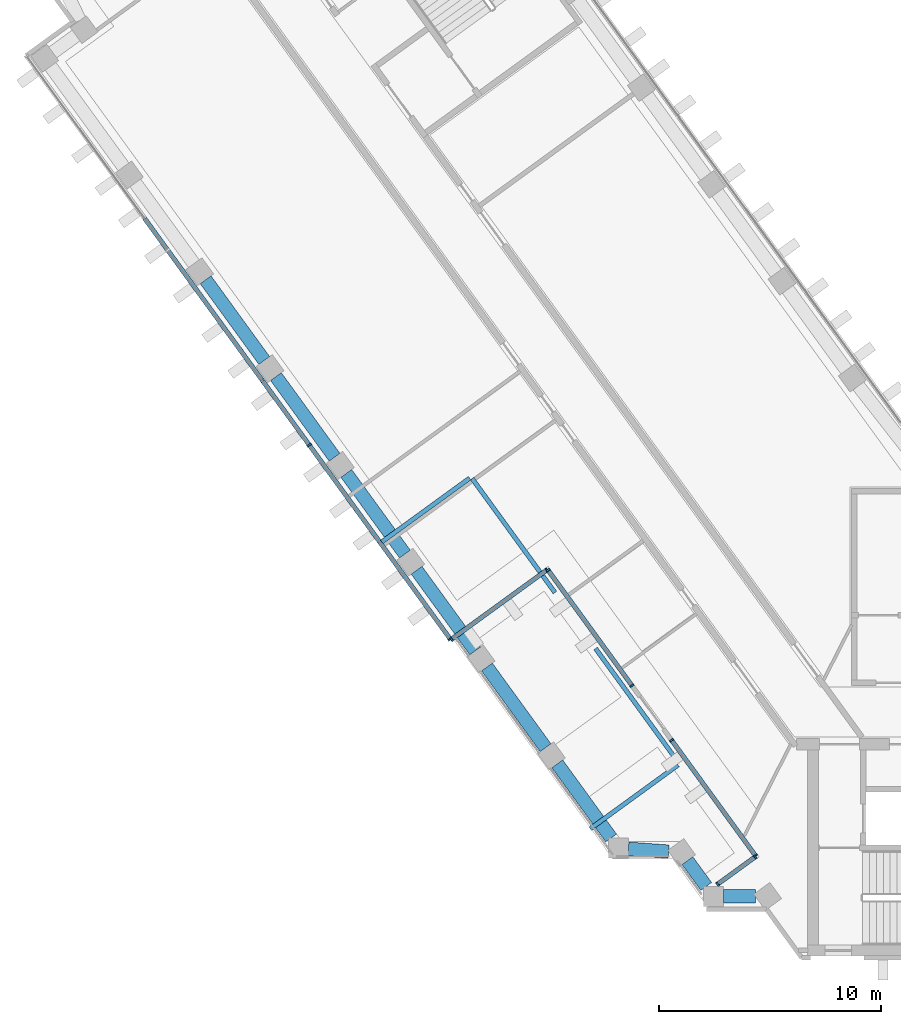
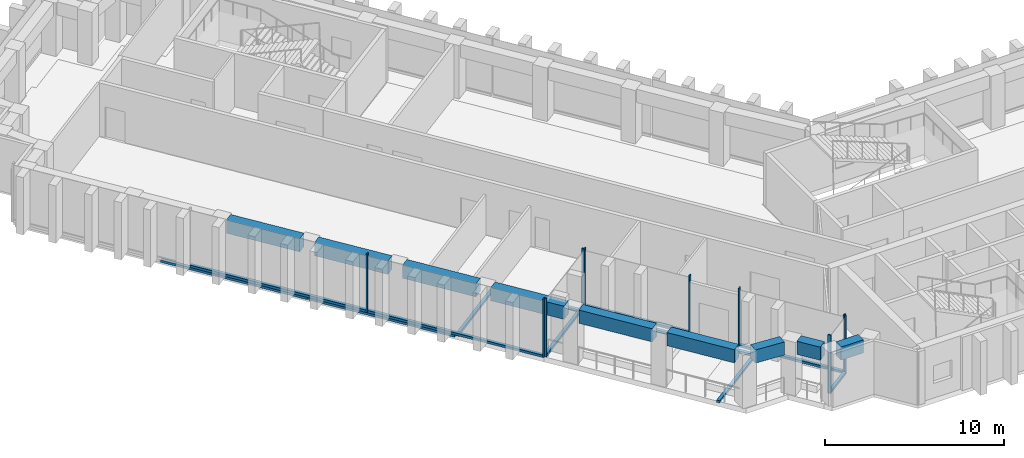
"""IFC4 building model written with IfcOpenShell, lengths in metres."""

from ifc_helpers import new_model, si_unit, direction, frame, origin, origin_2d, place, context, subcontext, project, spatial, rectangle, extrude, material, material_profile, profile_set, type_object, element, aggregate, save


model = new_model("IFC4")

# Units and contexts
model_context = context("Model", 3, precision=1e-05, world=origin(), true_north=direction((0.0, 1.0)))
body_context = subcontext(model_context, "Body", "Model", "MODEL_VIEW")
ifc_project = project(units=[si_unit("LENGTHUNIT", "METRE"), si_unit("AREAUNIT", "SQUARE_METRE"), si_unit("VOLUMEUNIT", "CUBIC_METRE"), si_unit("PLANEANGLEUNIT", "RADIAN"), si_unit("MASSUNIT", "GRAM", prefix="KILO")], contexts=[model_context])

# Site, building, storey
site_placement = place(None, origin())
site = spatial("IfcSite", under=ifc_project, at=site_placement, CompositionType="ELEMENT")
building_placement = place(site_placement, origin())
building = spatial("IfcBuilding", under=site, at=building_placement, Name="Quipu Civic Tower", CompositionType="ELEMENT")
storey_1_placement = place(building_placement, frame((0.0, 0.0, 63.0)))
storey_1 = spatial("IfcBuildingStorey", under=building, at=storey_1_placement, Name="L14", CompositionType="ELEMENT", Elevation=63.0)

# Curtain wall, members
ifc_material_1 = material(Name="Insulated glass unit", Category="glass")
curtain_wall_type = type_object("IfcCurtainWallType", Name="Office curtain wall CW1", PredefinedType="NOTDEFINED", material=ifc_material_1)
curtain_wall_1_placement = place(storey_1_placement, origin())
curtain_wall_1 = element("IfcCurtainWall", 1, at=curtain_wall_1_placement, inside=storey_1, type_object=curtain_wall_type, Name="Office curtain wall CW1 L14 run 1", PredefinedType="NOTDEFINED")
ifc_material_2 = material(Name="Anodised aluminium", Category="aluminium")
ifc_material_profile_1 = material_profile(ifc_material_2, rectangle(XDim=0.199951171875, YDim=0.080078125, at=origin_2d()), Name="RECT 200x80")
ifc_profile_set_1 = profile_set([ifc_material_profile_1], Name="Anodised aluminium")
member_type_1 = type_object("IfcMemberType", Name="Mullion CW1", PredefinedType="MULLION", material=ifc_profile_set_1)
member_1_placement = place(storey_1_placement, frame((-42.4794921875, 12.055908203125, 0.080078125), z_axis=(0.0, 0.0, 1.0), x_axis=(0.809016410598, 0.587786055791, 0.0)))
member_1 = element("IfcMember", 2, at=member_1_placement, type_object=member_type_1, Name="CW1 mullion 3", PredefinedType="MULLION", context=body_context, shape_type="SweptSolid", body=[
    extrude(rectangle(XDim=0.199951171875, YDim=0.080078125, at=origin_2d()), origin(), (0.0, 0.0, 1.0), 4.0),
])
member_2_placement = place(storey_1_placement, frame((-36.11572265625, 3.297119140625, 0.080078125), z_axis=(0.0, 0.0, 1.0), x_axis=(0.809016410598, 0.587786055791, 0.0)))
member_2 = element("IfcMember", 3, at=member_2_placement, type_object=member_type_1, Name="CW1 mullion 4", PredefinedType="MULLION", context=body_context, shape_type="SweptSolid", body=[
    extrude(rectangle(XDim=0.199951171875, YDim=0.080078125, at=origin_2d()), origin(), (0.0, 0.0, 1.0), 4.0),
])

curtain_wall_2_placement = place(storey_1_placement, origin())
curtain_wall_2 = element("IfcCurtainWall", 4, at=curtain_wall_2_placement, inside=storey_1, type_object=curtain_wall_type, Name="Office curtain wall CW1 L14 run 2", PredefinedType="NOTDEFINED")
member_3_placement = place(storey_1_placement, frame((-36.06005859375, 3.288330078125, 0.080078125), z_axis=(0.0, 0.0, 1.0), x_axis=(-0.587779635352, 0.809021075291, 0.0)))
member_3 = element("IfcMember", 5, at=member_3_placement, type_object=member_type_1, Name="CW1 mullion 1", PredefinedType="MULLION", context=body_context, shape_type="SweptSolid", body=[
    extrude(rectangle(XDim=0.199951171875, YDim=0.080078125, at=origin_2d()), origin(), (0.0, 0.0, 1.0), 4.0),
])
member_4_placement = place(storey_1_placement, frame((-31.755859375, 6.415283203125, 0.080078125), z_axis=(0.0, 0.0, 1.0), x_axis=(-0.587779635352, 0.809021075291, 0.0)))
member_4 = element("IfcMember", 6, at=member_4_placement, type_object=member_type_1, Name="CW1 mullion 2", PredefinedType="MULLION", context=body_context, shape_type="SweptSolid", body=[
    extrude(rectangle(XDim=0.199951171875, YDim=0.080078125, at=origin_2d()), origin(), (0.0, 0.0, 1.0), 4.0),
])

curtain_wall_3_placement = place(storey_1_placement, origin())
curtain_wall_3 = element("IfcCurtainWall", 7, at=curtain_wall_3_placement, inside=storey_1, type_object=curtain_wall_type, Name="Office curtain wall CW1 L14 run 3", PredefinedType="NOTDEFINED")
member_5_placement = place(storey_1_placement, frame((-31.7001953125, 6.40625, 0.080078125), z_axis=(0.0, 0.0, 1.0), x_axis=(0.809015921551, 0.587786728906, 0.0)))
member_5 = element("IfcMember", 8, at=member_5_placement, type_object=member_type_1, Name="CW1 mullion 1", PredefinedType="MULLION", context=body_context, shape_type="SweptSolid", body=[
    extrude(rectangle(XDim=0.199951171875, YDim=0.080078125, at=origin_2d()), origin(), (0.0, 0.0, 1.0), 4.0),
])
member_6_placement = place(storey_1_placement, frame((-27.915283203125, 1.197021484375, 0.080078125), z_axis=(0.0, 0.0, 1.0), x_axis=(0.809015921551, 0.587786728906, 0.0)))
member_6 = element("IfcMember", 9, at=member_6_placement, type_object=member_type_1, Name="CW1 mullion 2", PredefinedType="MULLION", context=body_context, shape_type="SweptSolid", body=[
    extrude(rectangle(XDim=0.199951171875, YDim=0.080078125, at=origin_2d()), origin(), (0.0, 0.0, 1.0), 4.0),
])

curtain_wall_4_placement = place(storey_1_placement, origin())
curtain_wall_4 = element("IfcCurtainWall", 10, at=curtain_wall_4_placement, inside=storey_1, type_object=curtain_wall_type, Name="Office curtain wall CW1 L14 run 5", PredefinedType="NOTDEFINED")
member_7_placement = place(storey_1_placement, frame((-26.126708984375, -1.2646484375, 0.080078125), z_axis=(0.0, 0.0, 1.0), x_axis=(0.809024586057, 0.587774803097, 0.0)))
member_7 = element("IfcMember", 11, at=member_7_placement, type_object=member_type_1, Name="CW1 mullion 1", PredefinedType="MULLION", context=body_context, shape_type="SweptSolid", body=[
    extrude(rectangle(XDim=0.199951171875, YDim=0.080078125, at=origin_2d()), origin(), (0.0, 0.0, 1.0), 4.0),
])
member_8_placement = place(storey_1_placement, frame((-22.342529296875, -6.47314453125, 0.080078125), z_axis=(0.0, 0.0, 1.0), x_axis=(0.809024586057, 0.587774803097, 0.0)))
member_8 = element("IfcMember", 12, at=member_8_placement, type_object=member_type_1, Name="CW1 mullion 2", PredefinedType="MULLION", context=body_context, shape_type="SweptSolid", body=[
    extrude(rectangle(XDim=0.199951171875, YDim=0.080078125, at=origin_2d()), origin(), (0.0, 0.0, 1.0), 4.0),
])

curtain_wall_5_placement = place(storey_1_placement, origin())
curtain_wall_5 = element("IfcCurtainWall", 13, at=curtain_wall_5_placement, inside=storey_1, type_object=curtain_wall_type, Name="Office curtain wall CW1 L14 run 6", PredefinedType="NOTDEFINED")
member_9_placement = place(storey_1_placement, frame((-22.3515625, -6.529052734375, 0.080078125), z_axis=(0.0, 0.0, 1.0), x_axis=(0.587786189155, -0.809016313704, 0.0)))
member_9 = element("IfcMember", 14, at=member_9_placement, type_object=member_type_1, Name="CW1 mullion 1", PredefinedType="MULLION", context=body_context, shape_type="SweptSolid", body=[
    extrude(rectangle(XDim=0.199951171875, YDim=0.080078125, at=origin_2d()), origin(), (0.0, 0.0, 1.0), 4.0),
])
member_10_placement = place(storey_1_placement, frame((-24.04638671875, -7.760498046875, 0.080078125), z_axis=(0.0, 0.0, 1.0), x_axis=(0.587786189155, -0.809016313704, 0.0)))
member_10 = element("IfcMember", 15, at=member_10_placement, type_object=member_type_1, Name="CW1 mullion 2", PredefinedType="MULLION", context=body_context, shape_type="SweptSolid", body=[
    extrude(rectangle(XDim=0.199951171875, YDim=0.080078125, at=origin_2d()), origin(), (0.0, 0.0, 1.0), 4.0),
])

# Beams
ifc_material_3 = material(Name="Concrete C50/60", Category="concrete")
ifc_material_profile_2 = material_profile(ifc_material_3, rectangle(XDim=0.60009765625, YDim=0.89990234375, at=origin_2d()), Name="RC600x900")
ifc_profile_set_2 = profile_set([ifc_material_profile_2], Name="Concrete C50/60")
beam_type = type_object("IfcBeamType", Name="Spandrel beam RC 600x900 C50/60", PredefinedType="SPANDREL", material=ifc_profile_set_2)
beam_1_placement = place(storey_1_placement, frame((-47.15380859375, 19.5107421875, 3.199951171875), z_axis=(0.587803872688, -0.809003465539, 0.0), x_axis=(0.809003465539, 0.587803872688, 0.0)))
element("IfcBeam", 16, at=beam_1_placement, inside=storey_1, type_object=beam_type, Name="Spandrel beam L14 W-OUT-06 to W-OUT-05", PredefinedType="SPANDREL", context=body_context, shape_type="SweptSolid", body=[
    extrude(rectangle(XDim=0.60009765625, YDim=0.89990234375, at=origin_2d()), origin(), (0.0, 0.0, 1.0), 4.499755859375),
])
for number, where, z_axis, x_axis, name in (
    (17, (-43.97998046875, 15.14208984375, 3.199951171875), (0.587778073121, -0.809022210299, 0.0), (0.809022210299, 0.587778073121, 0.0), "Spandrel beam L14 W-OUT-05 to W-OUT-04"),
    (18, (-40.805908203125, 10.7734375, 3.199951171875), (0.587778073121, -0.809022210299, 0.0), (0.809022210299, 0.587778073121, 0.0), "Spandrel beam L14 W-OUT-04 to W-OUT-03"),
):
    element("IfcBeam", number, at=place(storey_1_placement, frame(where, z_axis=z_axis, x_axis=x_axis)), inside=storey_1, type_object=beam_type, Name=name, PredefinedType="SPANDREL", context=body_context, shape_type="SweptSolid", body=[
        extrude(rectangle(XDim=0.60009765625, YDim=0.89990234375, at=origin_2d()), origin(), (0.0, 0.0, 1.0), 4.5),
    ])
beam_2_placement = place(storey_1_placement, frame((-37.6318359375, 6.404541015625, 3.199951171875), z_axis=(0.587803872688, -0.809003465539, 0.0), x_axis=(0.809003465539, 0.587803872688, 0.0)))
element("IfcBeam", 19, at=beam_2_placement, inside=storey_1, type_object=beam_type, Name="Spandrel beam L14 W-OUT-03 to W-OUT-02", PredefinedType="SPANDREL", context=body_context, shape_type="SweptSolid", body=[
    extrude(rectangle(XDim=0.60009765625, YDim=0.89990234375, at=origin_2d()), origin(), (0.0, 0.0, 1.0), 4.499755859375),
])
beam_3_placement = place(storey_1_placement, frame((-34.457763671875, 2.035888671875, 3.199951171875), z_axis=(0.587778073121, -0.809022210299, 0.0), x_axis=(0.809022210299, 0.587778073121, 0.0)))
element("IfcBeam", 20, at=beam_3_placement, inside=storey_1, type_object=beam_type, Name="Spandrel beam L14 W-OUT-02 to W-OUT-01", PredefinedType="SPANDREL", context=body_context, shape_type="SweptSolid", body=[
    extrude(rectangle(XDim=0.60009765625, YDim=0.89990234375, at=origin_2d()), origin(), (0.0, 0.0, 1.0), 4.5),
])
beam_4_placement = place(storey_1_placement, frame((-31.28369140625, -2.332763671875, 3.199951171875), z_axis=(0.587750565781, -0.809042194464, 0.0), x_axis=(0.809042194464, 0.587750565781, 0.0)))
element("IfcBeam", 21, at=beam_4_placement, inside=storey_1, type_object=beam_type, Name="Spandrel beam L14 W-OUT-01 to J-Wo.0", PredefinedType="SPANDREL", context=body_context, shape_type="SweptSolid", body=[
    extrude(rectangle(XDim=0.60009765625, YDim=0.89990234375, at=origin_2d()), origin(), (0.0, 0.0, 1.0), 4.13720703125),
])
beam_5_placement = place(storey_1_placement, frame((-28.074951171875, -6.16259765625, 3.199951171875), z_axis=(0.997367229877, -0.072516265536, 0.0), x_axis=(0.072516265536, 0.997367229877, 0.0)))
element("IfcBeam", 22, at=beam_5_placement, inside=storey_1, type_object=beam_type, Name="Spandrel beam L14 J-Wo.0 to J-Wo.1", PredefinedType="SPANDREL", context=body_context, shape_type="SweptSolid", body=[
    extrude(rectangle(XDim=0.60009765625, YDim=0.89990234375, at=origin_2d()), origin(), (0.0, 0.0, 1.0), 1.818115234375),
])
beam_6_placement = place(storey_1_placement, frame((-25.40966796875, -6.700927734375, 3.199951171875), z_axis=(0.588433824377, -0.808545381738, 0.0), x_axis=(0.808545381738, 0.588433824377, 0.0)))
element("IfcBeam", 23, at=beam_6_placement, inside=storey_1, type_object=beam_type, Name="Spandrel beam L14 J-Wo.1 to J-Wo.2", PredefinedType="SPANDREL", context=body_context, shape_type="SweptSolid", body=[
    extrude(rectangle(XDim=0.60009765625, YDim=0.89990234375, at=origin_2d()), origin(), (0.0, 0.0, 1.0), 1.439697265625),
])
beam_7_placement = place(storey_1_placement, frame((-23.784912109375, -8.31494140625, 3.199951171875), z_axis=(1.0, 0.0, 0.0), x_axis=(0.0, 1.0, 0.0)))
element("IfcBeam", 24, at=beam_7_placement, inside=storey_1, type_object=beam_type, Name="Spandrel beam L14 J-Wo.2 to J-Wo.3", PredefinedType="SPANDREL", context=body_context, shape_type="SweptSolid", body=[
    extrude(rectangle(XDim=0.60009765625, YDim=0.89990234375, at=origin_2d()), origin(), (0.0, 0.0, 1.0), 1.436767578125),
])

# Storey
storey_2_placement = place(building_placement, frame((0.0, 0.0, 59.0)))
storey_2 = spatial("IfcBuildingStorey", under=building, at=storey_2_placement, Name="L13", CompositionType="ELEMENT", Elevation=59.0)

# Curtain wall, members
curtain_wall_6_placement = place(storey_2_placement, origin())
curtain_wall_6 = element("IfcCurtainWall", 25, at=curtain_wall_6_placement, inside=storey_2, type_object=curtain_wall_type, Name="Office curtain wall CW1 L13 run 1", PredefinedType="NOTDEFINED")
ifc_material_4 = material(Name="Anodised aluminium", Category="aluminium")
ifc_material_profile_3 = material_profile(ifc_material_4, rectangle(XDim=0.199951171875, YDim=0.159912109375, at=origin_2d()), Name="RECT 200x160")
ifc_profile_set_3 = profile_set([ifc_material_profile_3], Name="Anodised aluminium")
member_type_2 = type_object("IfcMemberType", Name="Transom CW1", PredefinedType="USERDEFINED", material=ifc_profile_set_3)
member_11_placement = place(storey_1_placement, frame((-49.9013671875, 22.271240234375, 0.0), z_axis=(0.587777491231, -0.809022633059, 0.0), x_axis=(0.809022633059, 0.587777491231, 0.0)))
member_11 = element("IfcMember", 26, at=member_11_placement, inside=storey_1, type_object=member_type_2, Name="CW1 transom 2.2", ObjectType="TRANSOM", PredefinedType="USERDEFINED", context=body_context, shape_type="SweptSolid", body=[
    extrude(rectangle(XDim=0.199951171875, YDim=0.159912109375, at=origin_2d()), origin(), (0.0, 0.0, 1.0), 8.98681640625),
])
member_12_placement = place(storey_1_placement, frame((-44.572021484375, 14.93603515625, 0.0), z_axis=(0.587801687924, -0.809005052934, 0.0), x_axis=(0.809005052934, 0.587801687924, 0.0)))
member_12 = element("IfcMember", 27, at=member_12_placement, inside=storey_1, type_object=member_type_2, Name="CW1 transom 3.2", ObjectType="TRANSOM", PredefinedType="USERDEFINED", context=body_context, shape_type="SweptSolid", body=[
    extrude(rectangle(XDim=0.199951171875, YDim=0.159912109375, at=origin_2d()), origin(), (0.0, 0.0, 1.0), 8.946533203125),
])
aggregate(curtain_wall_6, [member_11, member_12])

# Curtain wall, member
curtain_wall_7_placement = place(storey_2_placement, origin())
curtain_wall_7 = element("IfcCurtainWall", 28, at=curtain_wall_7_placement, inside=storey_2, type_object=curtain_wall_type, Name="Office curtain wall CW1 L13 run 2", PredefinedType="NOTDEFINED")
member_13_placement = place(storey_1_placement, frame((-39.20166015625, 7.680419921875, 0.0), z_axis=(0.80902486839, 0.587774414488, 0.0), x_axis=(-0.587774414488, 0.80902486839, 0.0)))
member_13 = element("IfcMember", 29, at=member_13_placement, inside=storey_1, type_object=member_type_2, Name="CW1 transom 1.2", ObjectType="TRANSOM", PredefinedType="USERDEFINED", context=body_context, shape_type="SweptSolid", body=[
    extrude(rectangle(XDim=0.199951171875, YDim=0.159912109375, at=origin_2d()), origin(), (0.0, 0.0, 1.0), 4.897216796875),
])
aggregate(curtain_wall_7, [member_13])

curtain_wall_8_placement = place(storey_2_placement, origin())
curtain_wall_8 = element("IfcCurtainWall", 30, at=curtain_wall_8_placement, inside=storey_2, type_object=curtain_wall_type, Name="Office curtain wall CW1 L13 run 3", PredefinedType="NOTDEFINED")
member_14_placement = place(storey_1_placement, frame((-35.1279296875, 10.541259765625, 0.0), z_axis=(0.587772069698, -0.809026571926, 0.0), x_axis=(0.809026571926, 0.587772069698, 0.0)))
member_14 = element("IfcMember", 31, at=member_14_placement, inside=storey_1, type_object=member_type_2, Name="CW1 transom 1.2", ObjectType="TRANSOM", PredefinedType="USERDEFINED", context=body_context, shape_type="SweptSolid", body=[
    extrude(rectangle(XDim=0.199951171875, YDim=0.159912109375, at=origin_2d()), origin(), (0.0, 0.0, 1.0), 6.35791015625),
])
aggregate(curtain_wall_8, [member_14])

curtain_wall_9_placement = place(storey_2_placement, origin())
curtain_wall_9 = element("IfcCurtainWall", 32, at=curtain_wall_9_placement, inside=storey_2, type_object=curtain_wall_type, Name="Office curtain wall CW1 L13 run 5", PredefinedType="NOTDEFINED")
member_15_placement = place(storey_1_placement, frame((-29.55517578125, 2.870849609375, 0.0), z_axis=(0.587767557609, -0.809029850019, 0.0), x_axis=(0.809029850019, 0.587767557609, 0.0)))
member_15 = element("IfcMember", 33, at=member_15_placement, inside=storey_1, type_object=member_type_2, Name="CW1 transom 1.2", ObjectType="TRANSOM", PredefinedType="USERDEFINED", context=body_context, shape_type="SweptSolid", body=[
    extrude(rectangle(XDim=0.199951171875, YDim=0.159912109375, at=origin_2d()), origin(), (0.0, 0.0, 1.0), 6.35888671875),
])
aggregate(curtain_wall_9, [member_15])

curtain_wall_10_placement = place(storey_2_placement, origin())
curtain_wall_10 = element("IfcCurtainWall", 34, at=curtain_wall_10_placement, inside=storey_2, type_object=curtain_wall_type, Name="Office curtain wall CW1 L13 run 6", PredefinedType="NOTDEFINED")
member_16_placement = place(storey_1_placement, frame((-25.835205078125, -2.385498046875, 0.0), z_axis=(-0.80902486839, -0.587774414488, 0.0), x_axis=(0.587774414488, -0.80902486839, 0.0)))
member_16 = element("IfcMember", 35, at=member_16_placement, inside=storey_1, type_object=member_type_2, Name="CW1 transom 1.2", ObjectType="TRANSOM", PredefinedType="USERDEFINED", context=body_context, shape_type="SweptSolid", body=[
    extrude(rectangle(XDim=0.199951171875, YDim=0.159912109375, at=origin_2d()), origin(), (0.0, 0.0, 1.0), 4.897216796875),
])
aggregate(curtain_wall_10, [member_16])

# Member
member_17_placement = place(storey_1_placement, frame((-48.84326171875, 20.81494140625, 0.159912109375), z_axis=(0.587777310157, -0.809022764614, 0.0), x_axis=(0.809022764614, 0.587777310157, 0.0)))
member_17 = element("IfcMember", 36, at=member_17_placement, type_object=member_type_2, Name="CW1 transom 2.1", ObjectType="TRANSOM", PredefinedType="USERDEFINED", context=body_context, shape_type="SweptSolid", body=[
    extrude(rectangle(XDim=0.199951171875, YDim=0.159912109375, at=origin_2d()), origin(), (0.0, 0.0, 1.0), 10.78662109375),
])

member_18_placement = place(storey_1_placement, frame((-42.4560546875, 12.023681640625, 0.159912109375), z_axis=(0.587775847534, -0.809023827248, 0.0), x_axis=(0.809023827248, 0.587775847534, 0.0)))
member_18 = element("IfcMember", 37, at=member_18_placement, type_object=member_type_2, Name="CW1 transom 3.1", ObjectType="TRANSOM", PredefinedType="USERDEFINED", context=body_context, shape_type="SweptSolid", body=[
    extrude(rectangle(XDim=0.199951171875, YDim=0.159912109375, at=origin_2d()), origin(), (0.0, 0.0, 1.0), 10.74658203125),
])

aggregate(curtain_wall_1, [member_1, member_2, member_17, member_18])

member_19_placement = place(storey_1_placement, frame((-36.027587890625, 3.311767578125, 0.159912109375), z_axis=(0.809032158953, 0.587764379475, 0.0), x_axis=(-0.587764379475, 0.809032158953, 0.0)))
member_19 = element("IfcMember", 38, at=member_19_placement, type_object=member_type_2, Name="CW1 transom 1.1", ObjectType="TRANSOM", PredefinedType="USERDEFINED", context=body_context, shape_type="SweptSolid", body=[
    extrude(rectangle(XDim=0.199951171875, YDim=0.159912109375, at=origin_2d()), origin(), (0.0, 0.0, 1.0), 5.239990234375),
])

aggregate(curtain_wall_2, [member_3, member_4, member_19])

member_20_placement = place(storey_1_placement, frame((-31.676513671875, 6.3740234375, 0.159912109375), z_axis=(0.587792686492, -0.809011593061, 0.0), x_axis=(0.809011593061, 0.587792686492, 0.0)))
member_20 = element("IfcMember", 39, at=member_20_placement, type_object=member_type_2, Name="CW1 transom 1.1", ObjectType="TRANSOM", PredefinedType="USERDEFINED", context=body_context, shape_type="SweptSolid", body=[
    extrude(rectangle(XDim=0.199951171875, YDim=0.159912109375, at=origin_2d()), origin(), (0.0, 0.0, 1.0), 6.359130859375),
])

aggregate(curtain_wall_3, [member_5, member_6, member_20])

member_21_placement = place(storey_1_placement, frame((-26.103271484375, -1.297119140625, 0.159912109375), z_axis=(0.587772069698, -0.809026571926, 0.0), x_axis=(0.809026571926, 0.587772069698, 0.0)))
member_21 = element("IfcMember", 40, at=member_21_placement, type_object=member_type_2, Name="CW1 transom 1.1", ObjectType="TRANSOM", PredefinedType="USERDEFINED", context=body_context, shape_type="SweptSolid", body=[
    extrude(rectangle(XDim=0.199951171875, YDim=0.159912109375, at=origin_2d()), origin(), (0.0, 0.0, 1.0), 6.35791015625),
])

aggregate(curtain_wall_4, [member_7, member_8, member_21])

member_22_placement = place(storey_1_placement, frame((-22.3837890625, -6.552734375, 0.159912109375), z_axis=(-0.809066019593, -0.58771776895, 0.0), x_axis=(0.58771776895, -0.809066019593, 0.0)))
member_22 = element("IfcMember", 41, at=member_22_placement, type_object=member_type_2, Name="CW1 transom 1.1", ObjectType="TRANSOM", PredefinedType="USERDEFINED", context=body_context, shape_type="SweptSolid", body=[
    extrude(rectangle(XDim=0.199951171875, YDim=0.159912109375, at=origin_2d()), origin(), (0.0, 0.0, 1.0), 2.01513671875),
])

aggregate(curtain_wall_5, [member_9, member_10, member_22])

save(model, "model.ifc")
